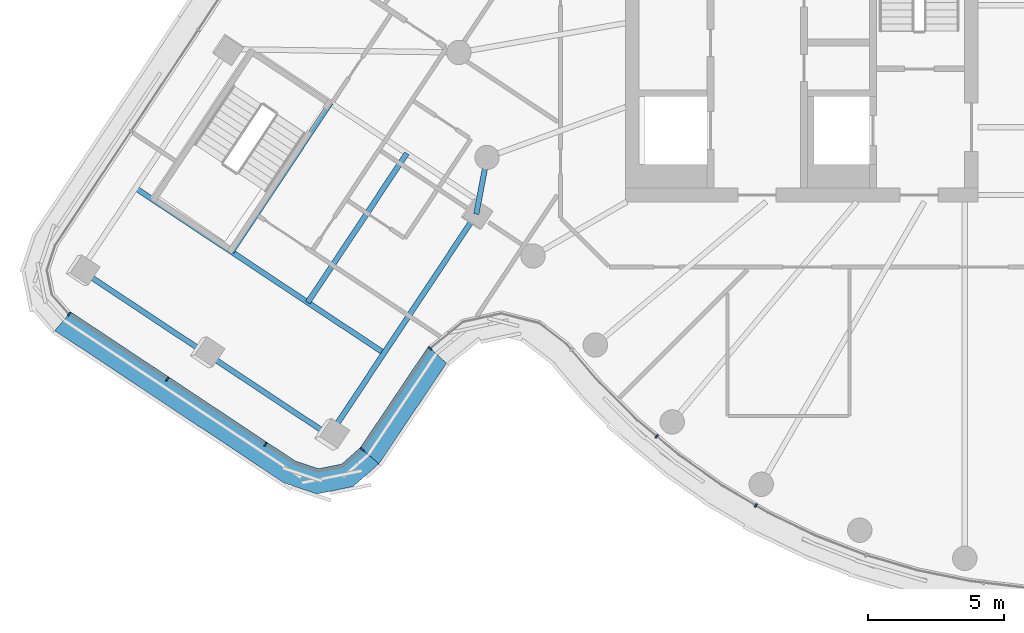
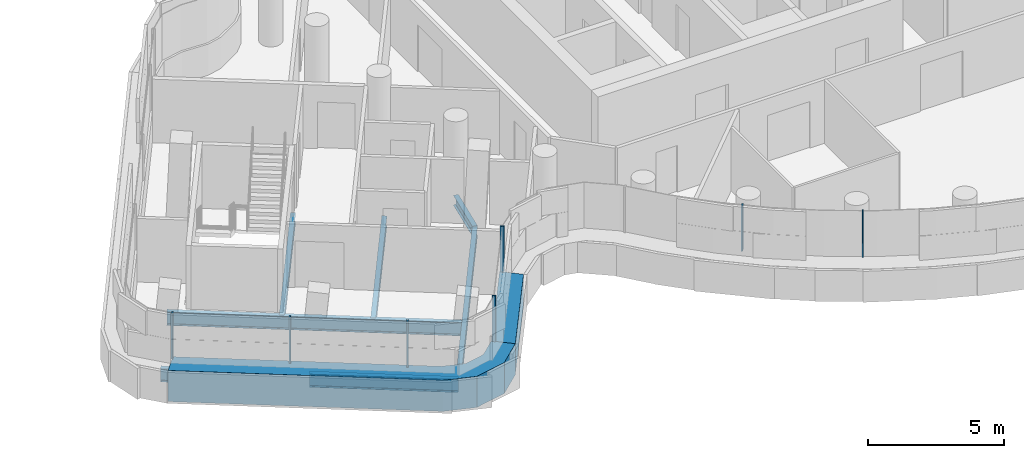
# One storey, part 2 of 27: 9 members, 7 beams, 3 elements without a shape of their own.
"""IFC4 building model written with IfcOpenShell, lengths in metres."""

from ifc_helpers import new_model, si_unit, direction, frame, origin, origin_2d, place, context, subcontext, project, spatial, polyline, rectangle, i_section, outline, extrude, material, layer, layer_set, material_profile, profile_set, type_object, element, aggregate, save


model = new_model("IFC4")

# Units and contexts
model_context = context("Model", 3, precision=1e-05, world=origin(), true_north=direction((0.0, 1.0)))
body_context = subcontext(model_context, "Body", "Model", "MODEL_VIEW")
ifc_project = project(units=[si_unit("LENGTHUNIT", "METRE"), si_unit("AREAUNIT", "SQUARE_METRE"), si_unit("VOLUMEUNIT", "CUBIC_METRE"), si_unit("PLANEANGLEUNIT", "RADIAN"), si_unit("MASSUNIT", "GRAM", prefix="KILO")], contexts=[model_context])

# Site, building, storey
site_placement = place(None, origin())
site = spatial("IfcSite", under=ifc_project, at=site_placement, CompositionType="ELEMENT")
building_placement = place(site_placement, origin())
building = spatial("IfcBuilding", under=site, at=building_placement, Name="Tamarind Cross Interchange Tower", CompositionType="ELEMENT")
storey_placement = place(building_placement, frame((0.0, 0.0, 237.89990234375)))
storey = spatial("IfcBuildingStorey", under=building, at=storey_placement, Name="L60", CompositionType="ELEMENT", Elevation=237.89990234375)

# Beams
ifc_material_1 = material(Name="Steel Q355B", Category="steel")
ifc_material_profile_1 = material_profile(ifc_material_1, i_section(OverallWidth=0.198974609375, OverallDepth=0.446044921875, WebThickness=0.008056640625, FlangeThickness=0.011962890625, FilletRadius=0.012939453125, at=origin_2d()), Name="HN 446x199x8x12")
ifc_profile_set_1 = profile_set([ifc_material_profile_1], Name="Steel Q355B")
beam_type_1 = type_object("IfcBeamType", Name="Composite beam HN 446x199x8x12 Q355B", PredefinedType="BEAM", material=ifc_profile_set_1)
beam_1_placement = place(storey_placement, frame((-27.42529296875, -18.115234375, -0.36279296875), z_axis=(0.553111295782, 0.833107372719, 0.0), x_axis=(-0.833107372719, 0.553111295782, 0.0)))
element("IfcBeam", 1, at=beam_1_placement, inside=storey, type_object=beam_type_1, Name="Beam W-edgeep2", PredefinedType="BEAM", context=body_context, shape_type="SweptSolid", body=[
    extrude(i_section(OverallWidth=0.198974609375, OverallDepth=0.446044921875, WebThickness=0.008056640625, FlangeThickness=0.011962890625, FilletRadius=0.012939453125, at=origin_2d()), origin(), (0.0, 0.0, 1.0), 9.792724609375),
])
beam_2_placement = place(storey_placement, frame((-22.0087890625, -9.956787109375, -0.36279296875), z_axis=(0.18602042372, 0.982545877788, 0.0), x_axis=(-0.982545877788, 0.18602042372, 0.0)))
element("IfcBeam", 2, at=beam_2_placement, inside=storey, type_object=beam_type_1, Name="Beam W-linkep", PredefinedType="BEAM", context=body_context, shape_type="SweptSolid", body=[
    extrude(i_section(OverallWidth=0.198974609375, OverallDepth=0.446044921875, WebThickness=0.008056640625, FlangeThickness=0.011962890625, FilletRadius=0.012939453125, at=origin_2d()), origin(), (0.0, 0.0, 1.0), 2.12744140625),
])
for number, where, z_axis, x_axis, name in (
    (3, (-27.38330078125, -5.848388671875, -0.36279296875), (-0.55311998435, -0.833101604195, 0.0), (0.833101604195, -0.55311998435, 0.0), "Beam W-tr1"),
    (4, (-24.571533203125, -7.71533203125, -0.36279296875), (-0.55311998435, -0.833101604195, 0.0), (0.833101604195, -0.55311998435, 0.0), "Beam W-stripp"),
):
    element("IfcBeam", number, at=place(storey_placement, frame(where, z_axis=z_axis, x_axis=x_axis)), inside=storey, type_object=beam_type_1, Name=name, PredefinedType="BEAM", context=body_context, shape_type="SweptSolid", body=[
        extrude(i_section(OverallWidth=0.198974609375, OverallDepth=0.446044921875, WebThickness=0.008056640625, FlangeThickness=0.011962890625, FilletRadius=0.012939453125, at=origin_2d()), origin(), (0.0, 0.0, 1.0), 6.60009765625),
    ])
ifc_material_profile_2 = material_profile(ifc_material_1, i_section(OverallWidth=0.198974609375, OverallDepth=0.595947265625, WebThickness=0.010009765625, FlangeThickness=0.014892578125, FilletRadius=0.012939453125, at=origin_2d()), Name="HN 596x199x10x15")
ifc_profile_set_2 = profile_set([ifc_material_profile_2], Name="Steel Q355B")
beam_type_2 = type_object("IfcBeamType", Name="Composite beam HN 596x199x10x15 Q355B", PredefinedType="BEAM", material=ifc_profile_set_2)
for number, where, z_axis, x_axis, name in (
    (5, (-36.58935546875, -12.031005859375, -0.43798828125), (0.833114123054, -0.553101128157, 0.0), (0.553101128157, 0.833114123054, 0.0), "Beam W-tip0"),
    (6, (-32.00732421875, -15.072998046875, -0.43798828125), (0.833093668172, -0.553131937292, 0.0), (0.553131937292, 0.833093668172, 0.0), "Beam W-tip1"),
):
    element("IfcBeam", number, at=place(storey_placement, frame(where, z_axis=z_axis, x_axis=x_axis)), inside=storey, type_object=beam_type_2, Name=name, PredefinedType="BEAM", context=body_context, shape_type="SweptSolid", body=[
        extrude(i_section(OverallWidth=0.198974609375, OverallDepth=0.595947265625, WebThickness=0.010009765625, FlangeThickness=0.014892578125, FilletRadius=0.012939453125, at=origin_2d()), origin(), (0.0, 0.0, 1.0), 5.5),
    ])
beam_3_placement = place(storey_placement, frame((-34.574462890625, -8.996337890625, -0.43798828125), z_axis=(0.83310389563, -0.553116533008, 0.0), x_axis=(0.553116533008, 0.83310389563, 0.0)))
element("IfcBeam", 7, at=beam_3_placement, inside=storey, type_object=beam_type_2, Name="Beam W-x364", PredefinedType="BEAM", context=body_context, shape_type="SweptSolid", body=[
    extrude(i_section(OverallWidth=0.198974609375, OverallDepth=0.595947265625, WebThickness=0.010009765625, FlangeThickness=0.014892578125, FilletRadius=0.012939453125, at=origin_2d()), origin(), (0.0, 0.0, 1.0), 11.0),
])

# Curtain wall, member
ifc_material_2 = material(Name="Aluminium 6063-T6", Category="aluminium")
ifc_layer = layer(ifc_material_2, 0.139892578125)
ifc_layer_set = layer_set([ifc_layer], Name="Aluminium 6063-T6")
curtain_wall_type = type_object("IfcCurtainWallType", Name="Hotel curtain wall, 4.5 m bays", PredefinedType="NOTDEFINED", material=ifc_layer_set)
curtain_wall_1_placement = place(storey_placement, origin())
curtain_wall_1 = element("IfcCurtainWall", 8, at=curtain_wall_1_placement, inside=storey, type_object=curtain_wall_type, Name="CWS-L60-00", PredefinedType="NOTDEFINED")
ifc_material_3 = material(Name="Aluminium and insulated spandrel panel", Category="aluminium")
member_type_1 = type_object("IfcMemberType", Name="Floor-edge blade transom", PredefinedType="USERDEFINED", material=ifc_material_3)
member_1_placement = place(storey_placement, origin())
member_1 = element("IfcMember", 9, at=member_1_placement, type_object=member_type_1, Name="CWT-L60-00", ObjectType="TRANSOM", PredefinedType="USERDEFINED", context=body_context, shape_type="SweptSolid", body=[
    extrude(outline(polyline([(-36.961181640625, -13.566650390625), (-28.696044921875, -19.053955078125), (-27.828369140625, -19.345703125), (-26.97119140625, -19.172607421875), (-26.283935546875, -18.56640625), (-25.601806640625, -19.16455078125), (-26.556640625, -20.007080078125), (-27.886474609375, -20.275634765625), (-29.09521484375, -19.869384765625), (-37.557861328125, -14.250732421875), (-36.961181640625, -13.566650390625)])), origin(), (0.0, 0.0, 1.0), 1.400146484375),
])

curtain_wall_2_placement = place(storey_placement, origin())
curtain_wall_2 = element("IfcCurtainWall", 10, at=curtain_wall_2_placement, inside=storey, type_object=curtain_wall_type, Name="CWS-L60-01", PredefinedType="NOTDEFINED")
member_2_placement = place(storey_placement, origin())
member_2 = element("IfcMember", 11, at=member_2_placement, type_object=member_type_1, Name="CWT-L60-01", ObjectType="TRANSOM", PredefinedType="USERDEFINED", context=body_context, shape_type="SweptSolid", body=[
    extrude(outline(polyline([(-26.283935546875, -18.56640625), (-23.77880859375, -14.84130859375), (-23.10693359375, -15.454833984375), (-25.601806640625, -19.16455078125), (-26.283935546875, -18.56640625)])), origin(), (0.0, 0.0, 1.0), 1.400146484375),
])

# Member
ifc_material_profile_3 = material_profile(ifc_material_2, rectangle(XDim=0.06005859375, YDim=0.139892578125, at=origin_2d()), Name="Mullion CW2")
ifc_profile_set_3 = profile_set([ifc_material_profile_3], Name="Aluminium 6063-T6")
member_type_2 = type_object("IfcMemberType", Name="Mullion CW2", PredefinedType="MULLION", material=ifc_profile_set_3)
member_3_placement = place(storey_placement, frame((-37.027587890625, -13.642578125, 1.400146484375), z_axis=(0.0, 0.0, 1.0), x_axis=(0.753783638546, -0.657122687373, 0.0)))
member_3 = element("IfcMember", 12, at=member_3_placement, type_object=member_type_2, Name="CWM-L60-00-00", PredefinedType="MULLION", context=body_context, shape_type="SweptSolid", body=[
    extrude(rectangle(XDim=0.06005859375, YDim=0.139892578125, at=origin_2d()), origin(), (0.0, 0.0, 1.0), 2.06005859375),
])

member_4_placement = place(storey_placement, frame((-33.4072265625, -16.046142578125, 1.400146484375), z_axis=(0.0, 0.0, 1.0), x_axis=(0.833106637229, -0.55311240359, 0.0)))
member_4 = element("IfcMember", 13, at=member_4_placement, type_object=member_type_2, Name="CWM-L60-00-01", PredefinedType="MULLION", context=body_context, shape_type="SweptSolid", body=[
    extrude(rectangle(XDim=0.06005859375, YDim=0.139892578125, at=origin_2d()), origin(), (0.0, 0.0, 1.0), 2.06005859375),
])

member_5_placement = place(storey_placement, frame((-29.786865234375, -18.44970703125, 1.400146484375), z_axis=(0.0, 0.0, 1.0), x_axis=(0.833106637229, -0.55311240359, 0.0)))
member_5 = element("IfcMember", 14, at=member_5_placement, type_object=member_type_2, Name="CWM-L60-00-02", PredefinedType="MULLION", context=body_context, shape_type="SweptSolid", body=[
    extrude(rectangle(XDim=0.06005859375, YDim=0.139892578125, at=origin_2d()), origin(), (0.0, 0.0, 1.0), 2.06005859375),
])

aggregate(curtain_wall_1, [member_3, member_4, member_5, member_1])

member_6_placement = place(storey_placement, frame((-26.208251953125, -18.6328125, 1.400146484375), z_axis=(0.0, 0.0, 1.0), x_axis=(0.659356903986, 0.751830082642, 0.0)))
member_6 = element("IfcMember", 15, at=member_6_placement, type_object=member_type_2, Name="CWM-L60-01-00", PredefinedType="MULLION", context=body_context, shape_type="SweptSolid", body=[
    extrude(rectangle(XDim=0.06005859375, YDim=0.139892578125, at=origin_2d()), origin(), (0.0, 0.0, 1.0), 2.06005859375),
])

aggregate(curtain_wall_2, [member_6, member_2])

# Curtain wall, members
curtain_wall_3_placement = place(storey_placement, origin())
curtain_wall_3 = element("IfcCurtainWall", 16, at=curtain_wall_3_placement, inside=storey, type_object=curtain_wall_type, Name="CWS-L60-02", PredefinedType="NOTDEFINED")
member_7_placement = place(storey_placement, frame((-23.704345703125, -14.909423828125, 1.400146484375), z_axis=(0.0, 0.0, 1.0), x_axis=(0.674415417337, 0.738352114413, 0.0)))
member_7 = element("IfcMember", 17, at=member_7_placement, type_object=member_type_2, Name="CWM-L60-02-00", PredefinedType="MULLION", context=body_context, shape_type="SweptSolid", body=[
    extrude(rectangle(XDim=0.06005859375, YDim=0.139892578125, at=origin_2d()), origin(), (0.0, 0.0, 1.0), 2.06005859375),
])
member_8_placement = place(storey_placement, frame((-15.355224609375, -18.152099609375, 1.400146484375), z_axis=(0.0, 0.0, 1.0), x_axis=(0.765858396687, -0.643009266048, 0.0)))
member_8 = element("IfcMember", 18, at=member_8_placement, type_object=member_type_2, Name="CWM-L60-02-02", PredefinedType="MULLION", context=body_context, shape_type="SweptSolid", body=[
    extrude(rectangle(XDim=0.06005859375, YDim=0.139892578125, at=origin_2d()), origin(), (0.0, 0.0, 1.0), 2.06005859375),
])
member_9_placement = place(storey_placement, frame((-11.6982421875, -20.703125, 1.400146484375), z_axis=(0.0, 0.0, 1.0), x_axis=(0.861248933065, -0.508183308752, 0.0)))
member_9 = element("IfcMember", 19, at=member_9_placement, type_object=member_type_2, Name="CWM-L60-02-03", PredefinedType="MULLION", context=body_context, shape_type="SweptSolid", body=[
    extrude(rectangle(XDim=0.06005859375, YDim=0.139892578125, at=origin_2d()), origin(), (0.0, 0.0, 1.0), 2.06005859375),
])
aggregate(curtain_wall_3, [member_7, member_8, member_9])

save(model, "model.ifc")
